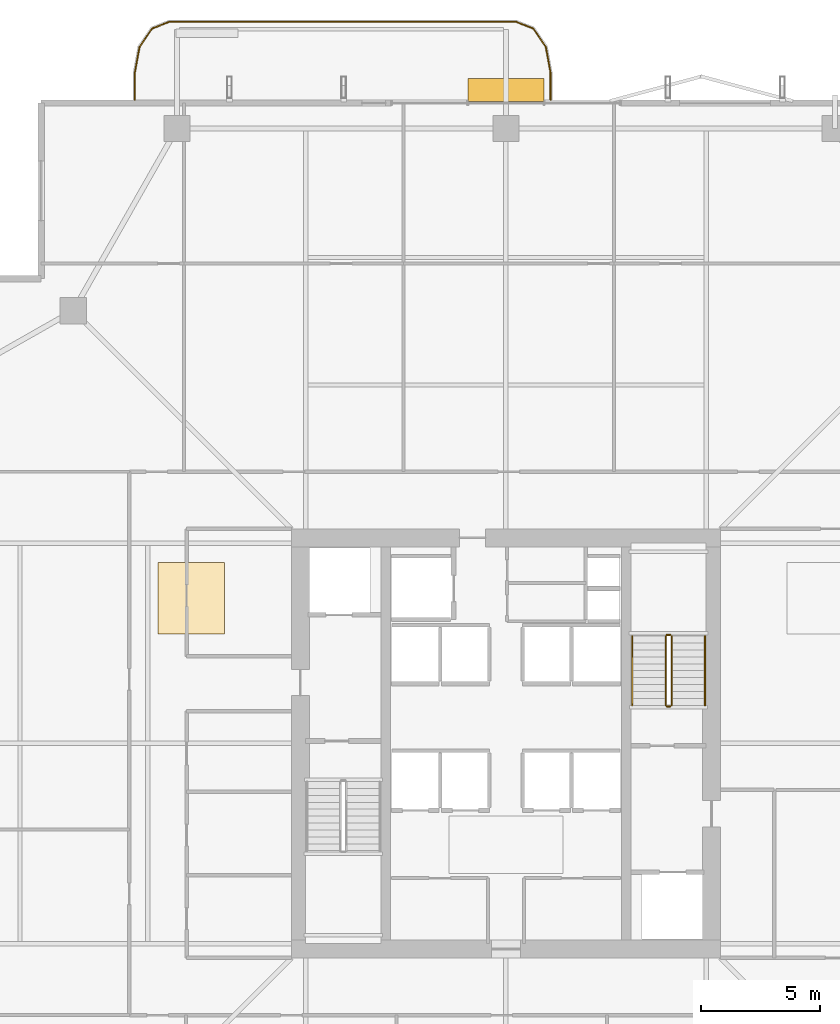
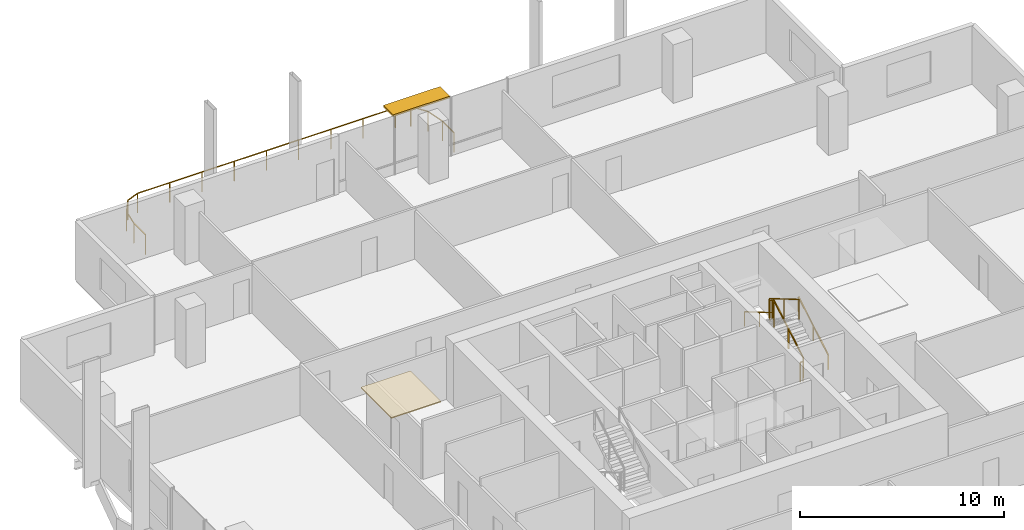
# One storey, part 23 of 24: 7 railings, 1 covering, 1 shading device.
"""IFC4 building model written with IfcOpenShell, lengths in metres."""

from ifc_helpers import new_model, si_unit, direction, frame, origin, origin_2d, place, context, subcontext, project, spatial, polyline, rectangle, outline, extrude, material, layer, layer_set, type_object, element, save


model = new_model("IFC4")

# Units and contexts
model_context = context("Model", 3, precision=1e-05, world=origin(), true_north=direction((0.0, 1.0)))
body_context = subcontext(model_context, "Body", "Model", "MODEL_VIEW")
ifc_project = project(units=[si_unit("LENGTHUNIT", "METRE"), si_unit("AREAUNIT", "SQUARE_METRE"), si_unit("VOLUMEUNIT", "CUBIC_METRE"), si_unit("PLANEANGLEUNIT", "RADIAN"), si_unit("MASSUNIT", "GRAM", prefix="KILO")], contexts=[model_context])

# Site, building, storey
site_placement = place(None, origin())
site = spatial("IfcSite", under=ifc_project, at=site_placement, CompositionType="ELEMENT")
building_placement = place(site_placement, origin())
building = spatial("IfcBuilding", under=site, at=building_placement, Name="Belovzor Exchange Tower", CompositionType="ELEMENT")
storey_placement = place(building_placement, frame((0.0, 0.0, 233.699951171875)))
storey = spatial("IfcBuildingStorey", under=building, at=storey_placement, Name="L58", CompositionType="ELEMENT", Elevation=233.699951171875)

# Railings
ifc_material_1 = material(Name="Stainless Steel Grade 304", Category="steel")
railing_type_1 = type_object("IfcRailingType", Name="Brushed Stainless Steel Stair Handrail 900", PredefinedType="HANDRAIL", material=ifc_material_1)
railing_1_placement = place(storey_placement, frame((37.14990234375, 30.39990234375, 0.17041015625)))
element("IfcRailing", 1, at=railing_1_placement, inside=storey, type_object=railing_type_1, Name="L58 ST-2 stair handrail 1", PredefinedType="HANDRAIL", context=body_context, shape_type="SweptSolid", body=[
    extrude(rectangle(XDim=0.048095703125, YDim=0.048095703125, at=origin_2d()), frame((0.0, 0.0, 0.8759765625), z_axis=(0.0, 0.862113265706, 0.506715617574), x_axis=(-1.0, 0.0, 0.0)), (0.0, 0.0, 1.0), 3.364013671875),
    extrude(rectangle(XDim=0.0419921875, YDim=0.0419921875, at=origin_2d()), origin(), (0.0, 0.0, 1.0), 0.851806640625),
    extrude(rectangle(XDim=0.0419921875, YDim=0.0419921875, at=origin_2d()), frame((0.0, 1.4501953125, 0.852294921875)), (0.0, 0.0, 1.0), 0.851806640625),
    extrude(rectangle(XDim=0.0419921875, YDim=0.0419921875, at=origin_2d()), frame((0.0, 2.900146484375, 1.70458984375)), (0.0, 0.0, 1.0), 0.851806640625),
])
railing_2_placement = place(storey_placement, frame((34.10009765625, 33.300048828125, 2.04541015625)))
element("IfcRailing", 2, at=railing_2_placement, inside=storey, type_object=railing_type_1, Name="L58 ST-2 stair handrail 2", PredefinedType="HANDRAIL", context=body_context, shape_type="SweptSolid", body=[
    extrude(rectangle(XDim=0.048095703125, YDim=0.048095703125, at=origin_2d()), frame((0.0, 0.0, 0.8759765625), z_axis=(0.0, -0.862113265706, 0.506715617574), x_axis=(1.0, 0.0, 0.0)), (0.0, 0.0, 1.0), 3.364013671875),
    extrude(rectangle(XDim=0.0419921875, YDim=0.0419921875, at=origin_2d()), origin(), (0.0, 0.0, 1.0), 0.851806640625),
    extrude(rectangle(XDim=0.0419921875, YDim=0.0419921875, at=origin_2d()), frame((0.0, -1.4501953125, 0.852294921875)), (0.0, 0.0, 1.0), 0.851806640625),
    extrude(rectangle(XDim=0.0419921875, YDim=0.0419921875, at=origin_2d()), frame((0.0, -2.900146484375, 1.70458984375)), (0.0, 0.0, 1.0), 0.851806640625),
])
ifc_material_2 = material(Name="Stainless Steel and Laminated Safety Glass", Category="steel")
railing_type_2 = type_object("IfcRailingType", Name="Laminated Glass & Stainless Steel Balcony Balustrade 1200", PredefinedType="BALUSTRADE", material=ifc_material_2)
railing_3_placement = place(storey_placement, frame((30.669921875, 55.81005859375, 0.0)))
element("IfcRailing", 3, at=railing_3_placement, inside=storey, type_object=railing_type_2, Name="GR-1 Balcony Balustrade L58 North", PredefinedType="BALUSTRADE", context=body_context, shape_type="SweptSolid", body=[
    extrude(rectangle(XDim=0.048095703125, YDim=0.048095703125, at=origin_2d()), frame((0.0, 0.0, 1.17578125), z_axis=(0.0, 1.0, 0.0), x_axis=(-1.0, 0.0, 0.0)), (0.0, 0.0, 1.0), 1.133056640625),
    extrude(rectangle(XDim=0.048095703125, YDim=0.048095703125, at=origin_2d()), frame((0.0, 1.133056640625, 1.17578125), z_axis=(-0.180122719713, 0.983644145941, 0.0), x_axis=(-0.983644145941, -0.180122719713, 0.0)), (0.0, 0.0, 1.0), 1.09375),
    extrude(rectangle(XDim=0.048095703125, YDim=0.048095703125, at=origin_2d()), frame((-0.197021484375, 2.208984375, 1.17578125), z_axis=(-0.562768145367, 0.826614792125, 0.0), x_axis=(-0.826614792125, -0.562768145367, 0.0)), (0.0, 0.0, 1.0), 0.9326171875),
    extrude(rectangle(XDim=0.048095703125, YDim=0.048095703125, at=origin_2d()), frame((-0.721923828125, 2.97998046875, 1.17578125), z_axis=(-0.930766990125, 0.365612923861, 0.0), x_axis=(-0.365612923861, -0.930766990125, 0.0)), (0.0, 0.0, 1.0), 0.765869140625),
    extrude(rectangle(XDim=0.048095703125, YDim=0.048095703125, at=origin_2d()), frame((-1.434814453125, 3.260009765625, 1.17578125), z_axis=(-1.0, 0.0, 0.0), x_axis=(0.0, -1.0, 0.0)), (0.0, 0.0, 1.0), 14.570068359375),
    extrude(rectangle(XDim=0.048095703125, YDim=0.048095703125, at=origin_2d()), frame((-16.0048828125, 3.260009765625, 1.17578125), z_axis=(-0.930809580156, -0.365504480807, 0.0), x_axis=(0.365504480807, -0.930809580156, 0.0)), (0.0, 0.0, 1.0), 0.76611328125),
    extrude(rectangle(XDim=0.048095703125, YDim=0.048095703125, at=origin_2d()), frame((-16.718017578125, 2.97998046875, 1.17578125), z_axis=(-0.562768145367, -0.826614792125, 0.0), x_axis=(0.826614792125, -0.562768145367, 0.0)), (0.0, 0.0, 1.0), 0.9326171875),
    extrude(rectangle(XDim=0.048095703125, YDim=0.048095703125, at=origin_2d()), frame((-17.242919921875, 2.208984375, 1.17578125), z_axis=(-0.180122719713, -0.983644145941, 0.0), x_axis=(0.983644145941, -0.180122719713, 0.0)), (0.0, 0.0, 1.0), 1.09375),
    extrude(rectangle(XDim=0.048095703125, YDim=0.048095703125, at=origin_2d()), frame((-17.43994140625, 1.133056640625, 1.17578125), z_axis=(0.0, -1.0, 0.0), x_axis=(1.0, 0.0, 0.0)), (0.0, 0.0, 1.0), 1.133056640625),
    extrude(rectangle(XDim=0.0419921875, YDim=0.0419921875, at=origin_2d()), origin(), (0.0, 0.0, 1.0), 1.15185546875),
    extrude(rectangle(XDim=0.0419921875, YDim=0.0419921875, at=origin_2d()), frame((0.0, 1.133056640625, 0.0)), (0.0, 0.0, 1.0), 1.15185546875),
    extrude(rectangle(XDim=0.0419921875, YDim=0.0419921875, at=origin_2d()), frame((-0.197021484375, 2.208984375, 0.0)), (0.0, 0.0, 1.0), 1.15185546875),
    extrude(rectangle(XDim=0.0419921875, YDim=0.0419921875, at=origin_2d()), frame((-0.721923828125, 2.97998046875, 0.0)), (0.0, 0.0, 1.0), 1.15185546875),
    extrude(rectangle(XDim=0.0419921875, YDim=0.0419921875, at=origin_2d()), frame((-1.434814453125, 3.260009765625, 0.0)), (0.0, 0.0, 1.0), 1.15185546875),
    extrude(rectangle(XDim=0.0419921875, YDim=0.0419921875, at=origin_2d()), frame((-3.256103515625, 3.260009765625, 0.0)), (0.0, 0.0, 1.0), 1.15185546875),
    extrude(rectangle(XDim=0.0419921875, YDim=0.0419921875, at=origin_2d()), frame((-5.077392578125, 3.260009765625, 0.0)), (0.0, 0.0, 1.0), 1.15185546875),
    extrude(rectangle(XDim=0.0419921875, YDim=0.0419921875, at=origin_2d()), frame((-6.898681640625, 3.260009765625, 0.0)), (0.0, 0.0, 1.0), 1.15185546875),
    extrude(rectangle(XDim=0.0419921875, YDim=0.0419921875, at=origin_2d()), frame((-8.7197265625, 3.260009765625, 0.0)), (0.0, 0.0, 1.0), 1.15185546875),
    extrude(rectangle(XDim=0.0419921875, YDim=0.0419921875, at=origin_2d()), frame((-10.541015625, 3.260009765625, 0.0)), (0.0, 0.0, 1.0), 1.15185546875),
    extrude(rectangle(XDim=0.0419921875, YDim=0.0419921875, at=origin_2d()), frame((-12.3623046875, 3.260009765625, 0.0)), (0.0, 0.0, 1.0), 1.15185546875),
    extrude(rectangle(XDim=0.0419921875, YDim=0.0419921875, at=origin_2d()), frame((-14.18359375, 3.260009765625, 0.0)), (0.0, 0.0, 1.0), 1.15185546875),
    extrude(rectangle(XDim=0.0419921875, YDim=0.0419921875, at=origin_2d()), frame((-16.0048828125, 3.260009765625, 0.0)), (0.0, 0.0, 1.0), 1.15185546875),
    extrude(rectangle(XDim=0.0419921875, YDim=0.0419921875, at=origin_2d()), frame((-16.718017578125, 2.97998046875, 0.0)), (0.0, 0.0, 1.0), 1.15185546875),
    extrude(rectangle(XDim=0.0419921875, YDim=0.0419921875, at=origin_2d()), frame((-17.242919921875, 2.208984375, 0.0)), (0.0, 0.0, 1.0), 1.15185546875),
    extrude(rectangle(XDim=0.0419921875, YDim=0.0419921875, at=origin_2d()), frame((-17.43994140625, 1.133056640625, 0.0)), (0.0, 0.0, 1.0), 1.15185546875),
    extrude(rectangle(XDim=0.0419921875, YDim=0.0419921875, at=origin_2d()), frame((-17.43994140625, 0.0, 0.0)), (0.0, 0.0, 1.0), 1.15185546875),
])
ifc_material_3 = material(Name="Steel S355", Category="steel")
railing_type_3 = type_object("IfcRailingType", Name="Painted Steel Stairwell Guardrail 1200", PredefinedType="GUARDRAIL", material=ifc_material_3)
railing_4_placement = place(storey_placement, frame((35.75, 30.39990234375, 0.17041015625)))
element("IfcRailing", 4, at=railing_4_placement, inside=storey, type_object=railing_type_3, Name="L58 ST-2 stair guard 1", PredefinedType="GUARDRAIL", context=body_context, shape_type="SweptSolid", body=[
    extrude(rectangle(XDim=0.048095703125, YDim=0.048095703125, at=origin_2d()), frame((0.0, 0.0, 1.17578125), z_axis=(0.0, 0.862113265706, 0.506715617574), x_axis=(-1.0, 0.0, 0.0)), (0.0, 0.0, 1.0), 3.364013671875),
    extrude(rectangle(XDim=0.0419921875, YDim=0.0419921875, at=origin_2d()), origin(), (0.0, 0.0, 1.0), 1.15185546875),
    extrude(rectangle(XDim=0.0419921875, YDim=0.0419921875, at=origin_2d()), frame((0.0, 1.4501953125, 0.852294921875)), (0.0, 0.0, 1.0), 1.15185546875),
    extrude(rectangle(XDim=0.0419921875, YDim=0.0419921875, at=origin_2d()), frame((0.0, 2.900146484375, 1.70458984375)), (0.0, 0.0, 1.0), 1.15185546875),
])
railing_5_placement = place(storey_placement, frame((35.699951171875, 33.35009765625, 1.875)))
element("IfcRailing", 5, at=railing_5_placement, inside=storey, type_object=railing_type_3, Name="L58 ST-2 stair guard 2", PredefinedType="GUARDRAIL", context=body_context, shape_type="SweptSolid", body=[
    extrude(rectangle(XDim=0.048095703125, YDim=0.048095703125, at=origin_2d()), frame((0.0, 0.0, 1.17578125), z_axis=(-1.0, 0.0, 0.0), x_axis=(0.0, -1.0, 0.0)), (0.0, 0.0, 1.0), 0.14990234375),
    extrude(rectangle(XDim=0.0419921875, YDim=0.0419921875, at=origin_2d()), origin(), (0.0, 0.0, 1.0), 1.15185546875),
    extrude(rectangle(XDim=0.0419921875, YDim=0.0419921875, at=origin_2d()), frame((-0.14990234375, 0.0, 0.0)), (0.0, 0.0, 1.0), 1.15185546875),
])
railing_6_placement = place(storey_placement, frame((35.5, 33.300048828125, 2.04541015625)))
element("IfcRailing", 6, at=railing_6_placement, inside=storey, type_object=railing_type_3, Name="L58 ST-2 stair guard 3", PredefinedType="GUARDRAIL", context=body_context, shape_type="SweptSolid", body=[
    extrude(rectangle(XDim=0.048095703125, YDim=0.048095703125, at=origin_2d()), frame((0.0, 0.0, 1.17578125), z_axis=(0.0, -0.862113265706, 0.506715617574), x_axis=(1.0, 0.0, 0.0)), (0.0, 0.0, 1.0), 3.364013671875),
    extrude(rectangle(XDim=0.0419921875, YDim=0.0419921875, at=origin_2d()), origin(), (0.0, 0.0, 1.0), 1.15185546875),
    extrude(rectangle(XDim=0.0419921875, YDim=0.0419921875, at=origin_2d()), frame((0.0, -1.4501953125, 0.852294921875)), (0.0, 0.0, 1.0), 1.15185546875),
    extrude(rectangle(XDim=0.0419921875, YDim=0.0419921875, at=origin_2d()), frame((0.0, -2.900146484375, 1.70458984375)), (0.0, 0.0, 1.0), 1.15185546875),
])
railing_7_placement = place(storey_placement, frame((35.699951171875, 30.35009765625, 0.0)))
element("IfcRailing", 7, at=railing_7_placement, inside=storey, type_object=railing_type_3, Name="L58 ST-2 stair guard 4", PredefinedType="GUARDRAIL", context=body_context, shape_type="SweptSolid", body=[
    extrude(rectangle(XDim=0.048095703125, YDim=0.048095703125, at=origin_2d()), frame((0.0, 0.0, 1.17578125), z_axis=(-1.0, 0.0, 0.0), x_axis=(0.0, -1.0, 0.0)), (0.0, 0.0, 1.0), 0.14990234375),
    extrude(rectangle(XDim=0.0419921875, YDim=0.0419921875, at=origin_2d()), origin(), (0.0, 0.0, 1.0), 1.15185546875),
    extrude(rectangle(XDim=0.0419921875, YDim=0.0419921875, at=origin_2d()), frame((-0.14990234375, 0.0, 0.0)), (0.0, 0.0, 1.0), 1.15185546875),
])

# Covering
ifc_material_4 = material(Name="Perforated Powder-Coated Aluminium", Category="aluminium")
ifc_layer_1 = layer(ifc_material_4, 0.06005859375)
ifc_layer_set_1 = layer_set([ifc_layer_1], Name="Perforated Powder-Coated Aluminium")
covering_type = type_object("IfcCoveringType", Name="Perforated Acoustic Metal Tile Suspended Ceiling 60", PredefinedType="CEILING", material=ifc_layer_set_1)
covering_placement = place(storey_placement, frame((0.0, 0.0, 3.43994140625)))
element("IfcCovering", 8, at=covering_placement, inside=storey, type_object=covering_type, Name="CLG-AC60 Suspended Ceiling CLG-L58-Z3", PredefinedType="CEILING", context=body_context, shape_type="SweptSolid", body=[
    extrude(outline(polyline([(14.199951171875, 33.39990234375), (17.0, 33.39990234375), (17.0, 36.39990234375), (14.199951171875, 36.39990234375), (14.199951171875, 33.39990234375)])), origin(), (0.0, 0.0, 1.0), 0.06005859375),
])

# Shading device
ifc_material_5 = material(Name="Extruded Architectural Terracotta", Category="masonry")
ifc_layer_2 = layer(ifc_material_5, 0.1201171875)
ifc_layer_set_2 = layer_set([ifc_layer_2], Name="Extruded Architectural Terracotta")
shading_device_type = type_object("IfcShadingDeviceType", Name="Streamline Terracotta Horizontal Sunshade Hood 950", PredefinedType="AWNING", material=ifc_layer_set_2)
shading_device_placement = place(storey_placement, frame((28.800048828125, 56.215087890625, 3.3798828125), z_axis=(0.0, 0.0, 1.0), x_axis=(1.0, 0.0, 0.0)))
element("IfcShadingDevice", 9, at=shading_device_placement, inside=storey, type_object=shading_device_type, Name="SHD-TC095 Terracotta Sunshade L58 N", PredefinedType="AWNING", context=body_context, shape_type="SweptSolid", body=[
    extrude(rectangle(XDim=3.199951171875, YDim=0.949951171875, at=origin_2d()), origin(), (0.0, 0.0, 1.0), 0.1201171875),
])

save(model, "model.ifc")
